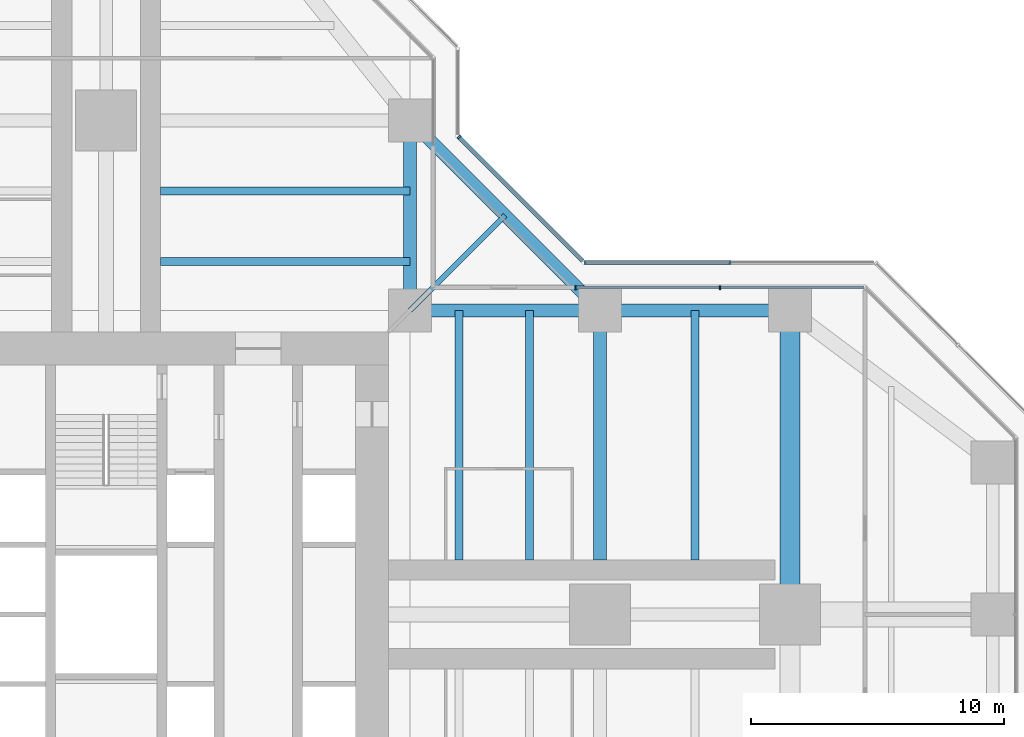
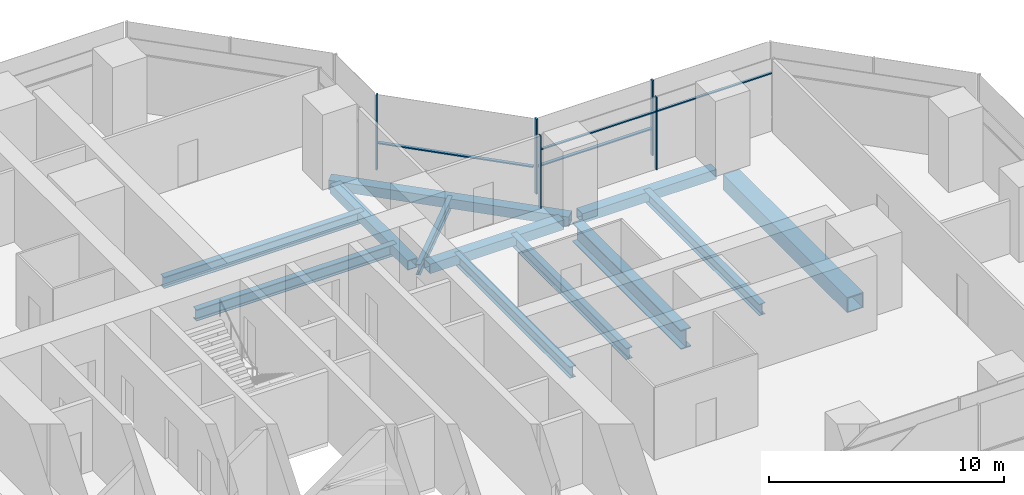
# One storey, part 9 of 19: 12 beams, 9 members, 3 elements without a shape of their own.
"""IFC4 building model written with IfcOpenShell, lengths in metres."""

from ifc_helpers import new_model, si_unit, direction, frame, origin, origin_2d, place, context, subcontext, project, spatial, rectangle, hollow_rectangle, i_section, extrude, material, material_profile, profile_set, type_object, element, aggregate, save


model = new_model("IFC4")

# Units and contexts
model_context = context("Model", 3, precision=1e-05, world=origin(), true_north=direction((0.0, 1.0)))
body_context = subcontext(model_context, "Body", "Model", "MODEL_VIEW")
ifc_project = project(units=[si_unit("LENGTHUNIT", "METRE"), si_unit("AREAUNIT", "SQUARE_METRE"), si_unit("VOLUMEUNIT", "CUBIC_METRE"), si_unit("PLANEANGLEUNIT", "RADIAN"), si_unit("MASSUNIT", "GRAM", prefix="KILO")], contexts=[model_context])

# Site, building, storey
site_placement = place(None, origin())
site = spatial("IfcSite", under=ifc_project, at=site_placement, CompositionType="ELEMENT")
building_placement = place(site_placement, origin())
building = spatial("IfcBuilding", under=site, at=building_placement, Name="Mizan Broadcast Tower", CompositionType="ELEMENT")
storey_placement = place(building_placement, frame((0.0, 0.0, 167.10009765625)))
storey = spatial("IfcBuildingStorey", under=building, at=storey_placement, Name="L38", CompositionType="ELEMENT", Elevation=167.10009765625)

# Beams
ifc_material_1 = material(Name="Steel S355", Category="steel")
ifc_material_profile_1 = material_profile(ifc_material_1, hollow_rectangle(XDim=0.5, YDim=0.5, WallThickness=0.030029296875, at=origin_2d()), Name="BOX 500x500x30")
ifc_profile_set_1 = profile_set([ifc_material_profile_1], Name="Steel S355")
beam_type_1 = type_object("IfcBeamType", Name="EDGE BEAM BOX 500x500x30", PredefinedType="SPANDREL", material=ifc_profile_set_1)
for number, where, z_axis, x_axis, name in (
    (1, (12.449951171875, 12.0, -0.380126953125), (1.0, 0.0, 0.0), (0.0, 1.0, 0.0), "Edge beam BOX 500x500x30 L38 east arm"),
    (2, (19.949951171875, 12.0, -0.380126953125), (1.0, 0.0, 0.0), (0.0, 1.0, 0.0), "Edge beam BOX 500x500x30 L38 east arm"),
    (3, (12.0, 12.449951171875, -0.380126953125), (0.0, 1.0, 0.0), (-1.0, 0.0, 0.0), "Edge beam BOX 500x500x30 L38 north arm"),
):
    element("IfcBeam", number, at=place(storey_placement, frame(where, z_axis=z_axis, x_axis=x_axis)), inside=storey, type_object=beam_type_1, Name=name, PredefinedType="SPANDREL", context=body_context, shape_type="SweptSolid", body=[
        extrude(hollow_rectangle(XDim=0.5, YDim=0.5, WallThickness=0.030029296875, at=origin_2d()), origin(), (0.0, 0.0, 1.0), 6.60009765625),
    ])
beam_1_placement = place(storey_placement, frame((19.5, 12.0, -0.380126953125), z_axis=(-0.707106781187, 0.707106781187, 0.0), x_axis=(-0.707106781187, -0.707106781187, 0.0)))
element("IfcBeam", 4, at=beam_1_placement, inside=storey, type_object=beam_type_1, Name="Winter garden edge beam L38 E", PredefinedType="SPANDREL", context=body_context, shape_type="SweptSolid", body=[
    extrude(hollow_rectangle(XDim=0.5, YDim=0.5, WallThickness=0.030029296875, at=origin_2d()), origin(), (0.0, 0.0, 1.0), 10.606689453125),
])
ifc_material_2 = material(Name="Steel S460", Category="steel")
ifc_material_profile_2 = material_profile(ifc_material_2, hollow_rectangle(XDim=0.800048828125, YDim=0.800048828125, WallThickness=0.050048828125, at=origin_2d()), Name="BOX 800x800x50")
ifc_profile_set_2 = profile_set([ifc_material_profile_2], Name="Steel S460")
beam_type_2 = type_object("IfcBeamType", Name="GIRDER BOX 800x800x50", PredefinedType="BEAM", material=ifc_profile_set_2)
beam_2_placement = place(storey_placement, frame((27.0, 11.280029296875, -0.530029296875), z_axis=(0.0, -1.0, 0.0), x_axis=(1.0, 0.0, 0.0)))
element("IfcBeam", 5, at=beam_2_placement, inside=storey, type_object=beam_type_2, Name="Girder BOX 800x800x50 L38 east arm", PredefinedType="BEAM", context=body_context, shape_type="SweptSolid", body=[
    extrude(hollow_rectangle(XDim=0.800048828125, YDim=0.800048828125, WallThickness=0.050048828125, at=origin_2d()), origin(), (0.0, 0.0, 1.0), 10.56005859375),
])
ifc_material_3 = material(Name="Steel S460", Category="steel")
ifc_material_profile_3 = material_profile(ifc_material_3, i_section(OverallWidth=0.5, OverallDepth=1.0, WebThickness=0.02490234375, FlangeThickness=0.050048828125, at=origin_2d()), Name="WPG 1000x500")
ifc_profile_set_3 = profile_set([ifc_material_profile_3], Name="Steel S460")
beam_type_3 = type_object("IfcBeamType", Name="GIRDER WPG 1000x500", PredefinedType="BEAM", material=ifc_profile_set_3)
beam_3_placement = place(storey_placement, frame((19.5, 11.408935546875, -0.630126953125), z_axis=(0.0, -1.0, 0.0), x_axis=(1.0, 0.0, 0.0)))
element("IfcBeam", 6, at=beam_3_placement, inside=storey, type_object=beam_type_3, Name="Girder WPG 1000x500 L38 east arm", PredefinedType="BEAM", context=body_context, shape_type="SweptSolid", body=[
    extrude(i_section(OverallWidth=0.5, OverallDepth=1.0, WebThickness=0.02490234375, FlangeThickness=0.050048828125, at=origin_2d()), origin(), (0.0, 0.0, 1.0), 9.259033203125),
])

# Curtain wall, members
ifc_material_4 = material(Name="Aluminium framed glazing", Category="aluminium")
curtain_wall_type_1 = type_object("IfcCurtainWallType", Name="INNER SKIN MID ZONE", PredefinedType="USERDEFINED", material=ifc_material_4)
curtain_wall_1_placement = place(storey_placement, origin())
curtain_wall_1 = element("IfcCurtainWall", 7, at=curtain_wall_1_placement, inside=storey, type_object=curtain_wall_type_1, Name="Inner skin mid zone L38 E side", ObjectType="INNER SKIN MID ZONE", PredefinedType="USERDEFINED")
ifc_material_5 = material(Name="Aluminium, pale anodised", Category="aluminium")
ifc_material_profile_4 = material_profile(ifc_material_5, rectangle(XDim=0.159912109375, YDim=0.06005859375, at=origin_2d()), Name="MULLION 160x60")
ifc_profile_set_4 = profile_set([ifc_material_profile_4], Name="Aluminium, pale anodised")
member_type_1 = type_object("IfcMemberType", Name="INNER SKIN MULLION 60x160", PredefinedType="MULLION", material=ifc_profile_set_4)
member_1_placement = place(storey_placement, frame((24.229248046875, 12.89990234375, 0.0), z_axis=(0.0, 0.0, 1.0), x_axis=(0.0, -1.0, 0.0)))
member_1 = element("IfcMember", 8, at=member_1_placement, type_object=member_type_1, Name="Inner skin mid zone L38 E side mullion 2", PredefinedType="MULLION", context=body_context, shape_type="SweptSolid", body=[
    extrude(rectangle(XDim=0.159912109375, YDim=0.06005859375, at=origin_2d()), origin(), (0.0, 0.0, 1.0), 3.77001953125),
])
member_2_placement = place(storey_placement, frame((18.530029296875, 12.89990234375, 0.0), z_axis=(0.0, 0.0, 1.0), x_axis=(0.0, -1.0, 0.0)))
member_2 = element("IfcMember", 9, at=member_2_placement, type_object=member_type_1, Name="Inner skin mid zone L38 E side mullion 3", PredefinedType="MULLION", context=body_context, shape_type="SweptSolid", body=[
    extrude(rectangle(XDim=0.159912109375, YDim=0.06005859375, at=origin_2d()), origin(), (0.0, 0.0, 1.0), 3.77001953125),
])
ifc_material_6 = material(Name="Aluminium, pale anodised", Category="aluminium")
ifc_material_profile_5 = material_profile(ifc_material_6, rectangle(XDim=0.1201171875, YDim=0.06005859375, at=origin_2d()), Name="TRANSOM 120x60")
ifc_profile_set_5 = profile_set([ifc_material_profile_5], Name="Aluminium, pale anodised")
member_type_2 = type_object("IfcMemberType", Name="INNER SKIN TRANSOM 60x120", PredefinedType="USERDEFINED", material=ifc_profile_set_5)
member_3_placement = place(storey_placement, frame((29.898681640625, 12.89990234375, 3.02978515625), z_axis=(-1.0, 0.0, 0.0), x_axis=(0.0, -1.0, 0.0)))
member_3 = element("IfcMember", 10, at=member_3_placement, type_object=member_type_2, Name="Inner skin mid zone L38 E side transom 1.1", ObjectType="TRANSOM", PredefinedType="USERDEFINED", context=body_context, shape_type="SweptSolid", body=[
    extrude(rectangle(XDim=0.1201171875, YDim=0.06005859375, at=origin_2d()), origin(), (0.0, 0.0, 1.0), 5.639404296875),
])
member_4_placement = place(storey_placement, frame((24.19921875, 12.89990234375, 3.02978515625), z_axis=(-1.0, 0.0, 0.0), x_axis=(0.0, -1.0, 0.0)))
member_4 = element("IfcMember", 11, at=member_4_placement, type_object=member_type_2, Name="Inner skin mid zone L38 E side transom 2.1", ObjectType="TRANSOM", PredefinedType="USERDEFINED", context=body_context, shape_type="SweptSolid", body=[
    extrude(rectangle(XDim=0.1201171875, YDim=0.06005859375, at=origin_2d()), origin(), (0.0, 0.0, 1.0), 5.63916015625),
])
aggregate(curtain_wall_1, [member_1, member_2, member_3, member_4])

ifc_material_7 = material(Name="Aluminium framed glazing", Category="aluminium")
curtain_wall_type_2 = type_object("IfcCurtainWallType", Name="OUTER SKIN", PredefinedType="USERDEFINED", material=ifc_material_7)
curtain_wall_2_placement = place(storey_placement, origin())
curtain_wall_2 = element("IfcCurtainWall", 12, at=curtain_wall_2_placement, inside=storey, type_object=curtain_wall_type_2, Name="Outer skin L38 E side", ObjectType="OUTER SKIN", PredefinedType="USERDEFINED")
ifc_material_8 = material(Name="Aluminium, pale anodised", Category="aluminium")
ifc_material_profile_6 = material_profile(ifc_material_8, rectangle(XDim=0.159912109375, YDim=0.080078125, at=origin_2d()), Name="MULLION 160x80")
ifc_profile_set_6 = profile_set([ifc_material_profile_6], Name="Aluminium, pale anodised")
member_type_3 = type_object("IfcMemberType", Name="OUTER SKIN MULLION 80x160", PredefinedType="MULLION", material=ifc_profile_set_6)
member_5_placement = place(storey_placement, frame((24.622802734375, 13.89990234375, 0.0), z_axis=(0.0, 0.0, 1.0), x_axis=(0.0, -1.0, 0.0)))
member_5 = element("IfcMember", 13, at=member_5_placement, type_object=member_type_3, Name="Outer skin L38 E side mullion 2", PredefinedType="MULLION", context=body_context, shape_type="SweptSolid", body=[
    extrude(rectangle(XDim=0.159912109375, YDim=0.080078125, at=origin_2d()), origin(), (0.0, 0.0, 1.0), 3.89990234375),
])
member_6_placement = place(storey_placement, frame((18.912841796875, 13.89990234375, 0.0), z_axis=(0.0, 0.0, 1.0), x_axis=(0.0, -1.0, 0.0)))
member_6 = element("IfcMember", 14, at=member_6_placement, type_object=member_type_3, Name="Outer skin L38 E side mullion 3", PredefinedType="MULLION", context=body_context, shape_type="SweptSolid", body=[
    extrude(rectangle(XDim=0.159912109375, YDim=0.080078125, at=origin_2d()), origin(), (0.0, 0.0, 1.0), 3.89990234375),
])

# Curtain wall, member
curtain_wall_3_placement = place(storey_placement, origin())
curtain_wall_3 = element("IfcCurtainWall", 15, at=curtain_wall_3_placement, inside=storey, type_object=curtain_wall_type_2, Name="Outer skin L38 E chamfer", ObjectType="OUTER SKIN", PredefinedType="USERDEFINED")
member_7_placement = place(storey_placement, frame((13.92822265625, 18.844482421875, 0.0), z_axis=(0.0, 0.0, 1.0), x_axis=(-0.707106781187, -0.707106781187, 0.0)))
member_7 = element("IfcMember", 16, at=member_7_placement, type_object=member_type_3, Name="Outer skin L38 E chamfer mullion 2", PredefinedType="MULLION", context=body_context, shape_type="SweptSolid", body=[
    extrude(rectangle(XDim=0.159912109375, YDim=0.080078125, at=origin_2d()), origin(), (0.0, 0.0, 1.0), 3.89990234375),
])

# Member
ifc_material_9 = material(Name="Aluminium, pale anodised", Category="aluminium")
ifc_material_profile_7 = material_profile(ifc_material_9, rectangle(XDim=0.159912109375, YDim=0.06005859375, at=origin_2d()), Name="TRANSOM 160x60")
ifc_profile_set_7 = profile_set([ifc_material_profile_7], Name="Aluminium, pale anodised")
member_type_4 = type_object("IfcMemberType", Name="OUTER SKIN TRANSOM 60x160", PredefinedType="USERDEFINED", material=ifc_profile_set_7)
member_8_placement = place(storey_placement, frame((24.582763671875, 13.89990234375, 1.39990234375), z_axis=(-1.0, 0.0, 0.0), x_axis=(0.0, -1.0, 0.0)))
member_8 = element("IfcMember", 17, at=member_8_placement, type_object=member_type_4, Name="Outer skin L38 E side transom 2.1", ObjectType="TRANSOM", PredefinedType="USERDEFINED", context=body_context, shape_type="SweptSolid", body=[
    extrude(rectangle(XDim=0.159912109375, YDim=0.06005859375, at=origin_2d()), origin(), (0.0, 0.0, 1.0), 5.6298828125),
])

aggregate(curtain_wall_2, [member_5, member_6, member_8])

member_9_placement = place(storey_placement, frame((18.816162109375, 13.95654296875, 1.39990234375), z_axis=(-0.707106781187, 0.707106781187, 0.0), x_axis=(-0.707106781187, -0.707106781187, 0.0)))
member_9 = element("IfcMember", 18, at=member_9_placement, type_object=member_type_4, Name="Outer skin L38 E chamfer transom 1.1", ObjectType="TRANSOM", PredefinedType="USERDEFINED", context=body_context, shape_type="SweptSolid", body=[
    extrude(rectangle(XDim=0.159912109375, YDim=0.06005859375, at=origin_2d()), origin(), (0.0, 0.0, 1.0), 6.87255859375),
])

aggregate(curtain_wall_3, [member_7, member_9])

# Beams
ifc_material_10 = material(Name="Steel S355", Category="steel")
ifc_material_profile_8 = material_profile(ifc_material_10, i_section(OverallWidth=0.300048828125, OverallDepth=0.590087890625, WebThickness=0.012939453125, FlangeThickness=0.02490234375, FilletRadius=0.027099609375, at=origin_2d()), Name="HEA 600")
ifc_profile_set_8 = profile_set([ifc_material_profile_8], Name="Steel S355")
beam_type_4 = type_object("IfcBeamType", Name="SECONDARY BEAM HEA 600", PredefinedType="JOIST", material=ifc_profile_set_8)
for number, where, z_axis, x_axis, name in (
    (19, (13.933349609375, 12.0, -0.425048828125), (0.0, -1.0, 0.0), (1.0, 0.0, 0.0), "Secondary beam HEA 600 L38 east arm"),
    (20, (16.716552734375, 12.0, -0.425048828125), (0.0, -1.0, 0.0), (1.0, 0.0, 0.0), "Secondary beam HEA 600 L38 east arm"),
    (21, (23.25, 12.0, -0.425048828125), (0.0, -1.0, 0.0), (1.0, 0.0, 0.0), "Secondary beam HEA 600 L38 east arm"),
    (22, (12.0, 13.933349609375, -0.425048828125), (-1.0, 0.0, 0.0), (0.0, -1.0, 0.0), "Secondary beam HEA 600 L38 north arm"),
    (23, (12.0, 16.716552734375, -0.425048828125), (-1.0, 0.0, 0.0), (0.0, -1.0, 0.0), "Secondary beam HEA 600 L38 north arm"),
):
    element("IfcBeam", number, at=place(storey_placement, frame(where, z_axis=z_axis, x_axis=x_axis)), inside=storey, type_object=beam_type_4, Name=name, PredefinedType="JOIST", context=body_context, shape_type="SweptSolid", body=[
        extrude(i_section(OverallWidth=0.300048828125, OverallDepth=0.590087890625, WebThickness=0.012939453125, FlangeThickness=0.02490234375, FilletRadius=0.027099609375, at=origin_2d()), origin(), (0.0, 0.0, 1.0), 9.85009765625),
    ])
ifc_material_11 = material(Name="Steel S355", Category="steel")
ifc_material_profile_9 = material_profile(ifc_material_11, i_section(OverallWidth=0.2099609375, OverallDepth=0.550048828125, WebThickness=0.010986328125, FlangeThickness=0.01708984375, FilletRadius=0.02392578125, at=origin_2d()), Name="IPE 550")
ifc_profile_set_9 = profile_set([ifc_material_profile_9], Name="Steel S355")
beam_type_5 = type_object("IfcBeamType", Name="SECONDARY BEAM IPE 550", PredefinedType="JOIST", material=ifc_profile_set_9)
beam_4_placement = place(storey_placement, frame((12.0, 12.0, -0.405029296875), z_axis=(0.707106781187, 0.707106781187, 0.0), x_axis=(-0.707106781187, 0.707106781187, 0.0)))
element("IfcBeam", 24, at=beam_4_placement, inside=storey, type_object=beam_type_5, Name="Winter garden beam L38 E", PredefinedType="JOIST", context=body_context, shape_type="SweptSolid", body=[
    extrude(i_section(OverallWidth=0.2099609375, OverallDepth=0.550048828125, WebThickness=0.010986328125, FlangeThickness=0.01708984375, FilletRadius=0.02392578125, at=origin_2d()), origin(), (0.0, 0.0, 1.0), 5.30322265625),
])

save(model, "model.ifc")
